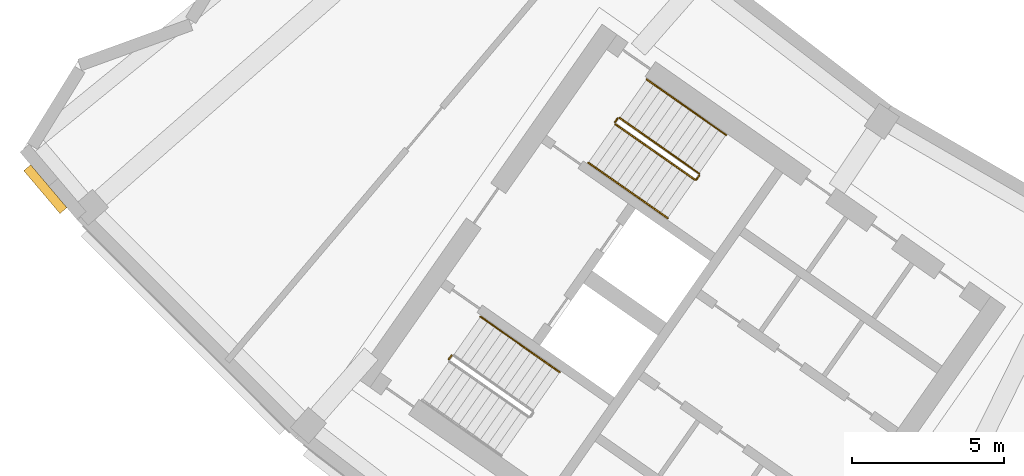
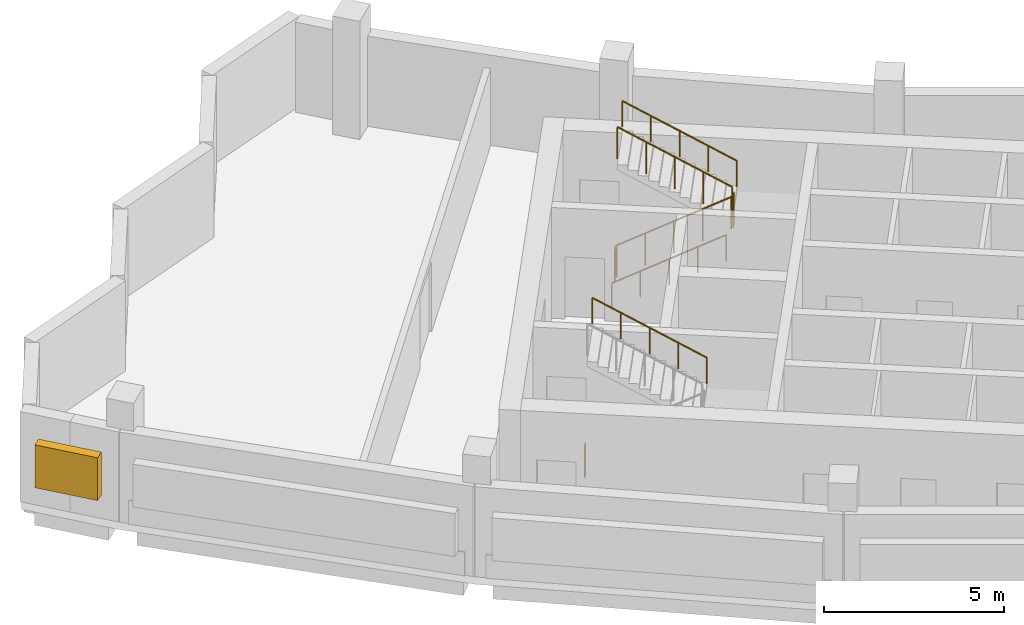
# One storey, part 9 of 11: 7 railings, 1 shading device.
"""IFC4 building model written with IfcOpenShell, lengths in metres."""

from ifc_helpers import new_model, si_unit, direction, frame, origin, origin_2d, place, context, subcontext, project, spatial, rectangle, circle, extrude, material, type_object, element, save


model = new_model("IFC4")

# Units and contexts
model_context = context("Model", 3, precision=1e-05, world=origin(), true_north=direction((0.0, 1.0)))
body_context = subcontext(model_context, "Body", "Model", "MODEL_VIEW")
ifc_project = project(units=[si_unit("LENGTHUNIT", "METRE"), si_unit("AREAUNIT", "SQUARE_METRE"), si_unit("VOLUMEUNIT", "CUBIC_METRE"), si_unit("PLANEANGLEUNIT", "RADIAN"), si_unit("MASSUNIT", "GRAM", prefix="KILO")], contexts=[model_context])

# Site, building, storey
site_placement = place(None, origin())
site = spatial("IfcSite", under=ifc_project, at=site_placement, CompositionType="ELEMENT")
building_placement = place(site_placement, origin())
building = spatial("IfcBuilding", under=site, at=building_placement, Name="Qamariyya Broadcast Tower", CompositionType="ELEMENT")
storey_placement = place(building_placement, frame((0.0, 0.0, 306.699951171875)))
storey = spatial("IfcBuildingStorey", under=building, at=storey_placement, Name="L74", CompositionType="ELEMENT", Elevation=306.699951171875)

# Railings
ifc_material_1 = material(Name="Painted steel", Category="steel")
railing_type_1 = type_object("IfcRailingType", Name="Stair guard", PredefinedType="GUARDRAIL", material=ifc_material_1)
railing_1_placement = place(storey_placement, frame((-41.146728515625, -48.52490234375, 0.166748046875)))
element("IfcRailing", 1, at=railing_1_placement, inside=storey, type_object=railing_type_1, Name="L74 ST-W2 stair guard 1", PredefinedType="GUARDRAIL", context=body_context, shape_type="SweptSolid", body=[
    extrude(circle(Radius=0.02392578125, at=origin_2d()), frame((0.0, 0.0, 1.076171875), z_axis=(0.710227693972, -0.497285465629, 0.498280832854), x_axis=(0.573559936391, 0.819163597438, 0.0)), (0.0, 0.0, 1.0), 3.67919921875),
    extrude(circle(Radius=0.02392578125, at=origin_2d()), frame((2.613037109375, -1.82958984375, 2.9091796875), z_axis=(0.985059694769, 0.172213233351, 0.0), x_axis=(-0.172213233351, 0.985059694769, 0.0)), (0.0, 0.0, 1.0), 0.07080078125),
    extrude(circle(Radius=0.02392578125, at=origin_2d()), frame((2.682861328125, -1.8173828125, 2.9091796875), z_axis=(0.573353020881, 0.819308436089, 0.0), x_axis=(-0.819308436089, 0.573353020881, 0.0)), (0.0, 0.0, 1.0), 0.14990234375),
    extrude(circle(Radius=0.02099609375, at=origin_2d()), origin(), (0.0, 0.0, 1.0), 1.052001953125),
    extrude(circle(Radius=0.02099609375, at=origin_2d()), frame((0.6533203125, -0.45751953125, 0.458251953125)), (0.0, 0.0, 1.0), 1.052001953125),
    extrude(circle(Radius=0.02099609375, at=origin_2d()), frame((1.306640625, -0.914794921875, 0.91650390625)), (0.0, 0.0, 1.0), 1.052001953125),
    extrude(circle(Radius=0.02099609375, at=origin_2d()), frame((1.959716796875, -1.3720703125, 1.375)), (0.0, 0.0, 1.0), 1.052001953125),
    extrude(circle(Radius=0.02099609375, at=origin_2d()), frame((2.613037109375, -1.82958984375, 1.833251953125)), (0.0, 0.0, 1.0), 1.052001953125),
    extrude(circle(Radius=0.02099609375, at=origin_2d()), frame((2.682861328125, -1.8173828125, 1.833251953125)), (0.0, 0.0, 1.0), 1.052001953125),
    extrude(circle(Radius=0.02099609375, at=origin_2d()), frame((2.768798828125, -1.694580078125, 1.833251953125)), (0.0, 0.0, 1.0), 1.052001953125),
])
railing_2_placement = place(storey_placement, frame((-38.39013671875, -50.14990234375, 2.166748046875)))
element("IfcRailing", 2, at=railing_2_placement, inside=storey, type_object=railing_type_1, Name="L74 ST-W2 stair guard 2", PredefinedType="GUARDRAIL", context=body_context, shape_type="SweptSolid", body=[
    extrude(circle(Radius=0.02392578125, at=origin_2d()), frame((0.0, 0.0, 1.076171875), z_axis=(-0.710204256923, 0.497335411159, 0.498264389913), x_axis=(-0.573611290809, -0.819127637829, 0.0)), (0.0, 0.0, 1.0), 3.67919921875),
    extrude(circle(Radius=0.02099609375, at=origin_2d()), origin(), (0.0, 0.0, 1.0), 1.052001953125),
    extrude(circle(Radius=0.02099609375, at=origin_2d()), frame((-0.6533203125, 0.45751953125, 0.458251953125)), (0.0, 0.0, 1.0), 1.052001953125),
    extrude(circle(Radius=0.02099609375, at=origin_2d()), frame((-1.306640625, 0.9150390625, 0.91650390625)), (0.0, 0.0, 1.0), 1.052001953125),
    extrude(circle(Radius=0.02099609375, at=origin_2d()), frame((-1.959716796875, 1.372314453125, 1.375)), (0.0, 0.0, 1.0), 1.052001953125),
    extrude(circle(Radius=0.02099609375, at=origin_2d()), frame((-2.613037109375, 1.829833984375, 1.833251953125)), (0.0, 0.0, 1.0), 1.052001953125),
])
railing_3_placement = place(storey_placement, frame((-41.158935546875, -48.455322265625, 0.0)))
element("IfcRailing", 3, at=railing_3_placement, inside=storey, type_object=railing_type_1, Name="L74 ST-W2 stair guard 3", PredefinedType="GUARDRAIL", context=body_context, shape_type="SweptSolid", body=[
    extrude(circle(Radius=0.02392578125, at=origin_2d()), frame((0.0, 0.0, 1.076171875), z_axis=(0.572588637393, 0.819842821722, 0.0), x_axis=(-0.819842821722, 0.572588637393, 0.0)), (0.0, 0.0, 1.0), 0.150146484375),
    extrude(circle(Radius=0.02099609375, at=origin_2d()), origin(), (0.0, 0.0, 1.0), 1.052001953125),
    extrude(circle(Radius=0.02099609375, at=origin_2d()), frame((0.0859375, 0.123046875, 0.0)), (0.0, 0.0, 1.0), 1.052001953125),
])
railing_4_placement = place(storey_placement, frame((-46.63671875, -56.278076171875, 0.0)))
element("IfcRailing", 4, at=railing_4_placement, inside=storey, type_object=railing_type_1, Name="L74 ST-W1 stair guard 3", PredefinedType="GUARDRAIL", context=body_context, shape_type="SweptSolid", body=[
    extrude(circle(Radius=0.02392578125, at=origin_2d()), frame((0.0, 0.0, 1.076171875), z_axis=(0.574444878118, 0.818543268254, 0.0), x_axis=(-0.818543268254, 0.574444878118, 0.0)), (0.0, 0.0, 1.0), 0.150146484375),
    extrude(circle(Radius=0.02099609375, at=origin_2d()), origin(), (0.0, 0.0, 1.0), 1.052001953125),
    extrude(circle(Radius=0.02099609375, at=origin_2d()), frame((0.086181640625, 0.122802734375, 0.0)), (0.0, 0.0, 1.0), 1.052001953125),
])
ifc_material_2 = material(Name="Stainless steel", Category="steel")
railing_type_2 = type_object("IfcRailingType", Name="Stair handrail", PredefinedType="HANDRAIL", material=ifc_material_2)
railing_5_placement = place(storey_placement, frame((-42.03564453125, -49.79443359375, 0.166748046875)))
element("IfcRailing", 5, at=railing_5_placement, inside=storey, type_object=railing_type_2, Name="L74 ST-W2 stair handrail 1", PredefinedType="HANDRAIL", context=body_context, shape_type="SweptSolid", body=[
    extrude(circle(Radius=0.02392578125, at=origin_2d()), frame((0.0, 0.0, 0.8759765625), z_axis=(0.710204256923, -0.497335411159, 0.498264389913), x_axis=(0.573611290809, 0.819127637829, 0.0)), (0.0, 0.0, 1.0), 3.67919921875),
    extrude(circle(Radius=0.02099609375, at=origin_2d()), origin(), (0.0, 0.0, 1.0), 0.851806640625),
    extrude(circle(Radius=0.02099609375, at=origin_2d()), frame((0.6533203125, -0.45751953125, 0.458251953125)), (0.0, 0.0, 1.0), 0.851806640625),
    extrude(circle(Radius=0.02099609375, at=origin_2d()), frame((1.306640625, -0.9150390625, 0.91650390625)), (0.0, 0.0, 1.0), 0.851806640625),
    extrude(circle(Radius=0.02099609375, at=origin_2d()), frame((1.959716796875, -1.372314453125, 1.375)), (0.0, 0.0, 1.0), 0.851806640625),
    extrude(circle(Radius=0.02099609375, at=origin_2d()), frame((2.613037109375, -1.829833984375, 1.833251953125)), (0.0, 0.0, 1.0), 0.851806640625),
])
railing_6_placement = place(storey_placement, frame((-37.501220703125, -48.880126953125, 2.166748046875)))
element("IfcRailing", 6, at=railing_6_placement, inside=storey, type_object=railing_type_2, Name="L74 ST-W2 stair handrail 2", PredefinedType="HANDRAIL", context=body_context, shape_type="SweptSolid", body=[
    extrude(circle(Radius=0.02392578125, at=origin_2d()), frame((0.0, 0.0, 0.8759765625), z_axis=(-0.710204256923, 0.497335411159, 0.498264389913), x_axis=(-0.573611290809, -0.819127637829, 0.0)), (0.0, 0.0, 1.0), 3.67919921875),
    extrude(circle(Radius=0.02099609375, at=origin_2d()), origin(), (0.0, 0.0, 1.0), 0.851806640625),
    extrude(circle(Radius=0.02099609375, at=origin_2d()), frame((-0.6533203125, 0.45751953125, 0.458251953125)), (0.0, 0.0, 1.0), 0.851806640625),
    extrude(circle(Radius=0.02099609375, at=origin_2d()), frame((-1.306640625, 0.9150390625, 0.91650390625)), (0.0, 0.0, 1.0), 0.851806640625),
    extrude(circle(Radius=0.02099609375, at=origin_2d()), frame((-1.959716796875, 1.372314453125, 1.375)), (0.0, 0.0, 1.0), 0.851806640625),
    extrude(circle(Radius=0.02099609375, at=origin_2d()), frame((-2.613037109375, 1.829833984375, 1.833251953125)), (0.0, 0.0, 1.0), 0.851806640625),
])
railing_7_placement = place(storey_placement, frame((-42.978759765625, -56.702880859375, 2.166748046875)))
element("IfcRailing", 7, at=railing_7_placement, inside=storey, type_object=railing_type_2, Name="L74 ST-W1 stair handrail 2", PredefinedType="HANDRAIL", context=body_context, shape_type="SweptSolid", body=[
    extrude(circle(Radius=0.02392578125, at=origin_2d()), frame((0.0, 0.0, 0.8759765625), z_axis=(-0.710227693972, 0.497285465629, 0.498280832854), x_axis=(-0.573559936391, -0.819163597438, 0.0)), (0.0, 0.0, 1.0), 3.67919921875),
    extrude(circle(Radius=0.02099609375, at=origin_2d()), origin(), (0.0, 0.0, 1.0), 0.851806640625),
    extrude(circle(Radius=0.02099609375, at=origin_2d()), frame((-0.6533203125, 0.45751953125, 0.458251953125)), (0.0, 0.0, 1.0), 0.851806640625),
    extrude(circle(Radius=0.02099609375, at=origin_2d()), frame((-1.306640625, 0.914794921875, 0.91650390625)), (0.0, 0.0, 1.0), 0.851806640625),
    extrude(circle(Radius=0.02099609375, at=origin_2d()), frame((-1.959716796875, 1.3720703125, 1.375)), (0.0, 0.0, 1.0), 0.851806640625),
    extrude(circle(Radius=0.02099609375, at=origin_2d()), frame((-2.613037109375, 1.82958984375, 1.833251953125)), (0.0, 0.0, 1.0), 0.851806640625),
])

# Shading device
ifc_material_3 = material(Name="Glazed terracotta", Category="masonry")
shading_device_type = type_object("IfcShadingDeviceType", Name="Terracotta louvre bank", PredefinedType="USERDEFINED", material=ifc_material_3)
shading_device_placement = place(storey_placement, frame((-59.94140625, -50.66796875, 0.80029296875), z_axis=(0.0, 0.0, 1.0), x_axis=(0.645559567332, -0.763709922042, 0.0)))
element("IfcShadingDevice", 8, at=shading_device_placement, inside=storey, type_object=shading_device_type, Name="e-lv-L74-00", ObjectType="LOUVRE", PredefinedType="USERDEFINED", context=body_context, shape_type="SweptSolid", body=[
    extrude(rectangle(XDim=1.8505859375, YDim=0.300048828125, at=origin_2d()), origin(), (0.0, 0.0, 1.0), 1.449951171875),
])

save(model, "model.ifc")
